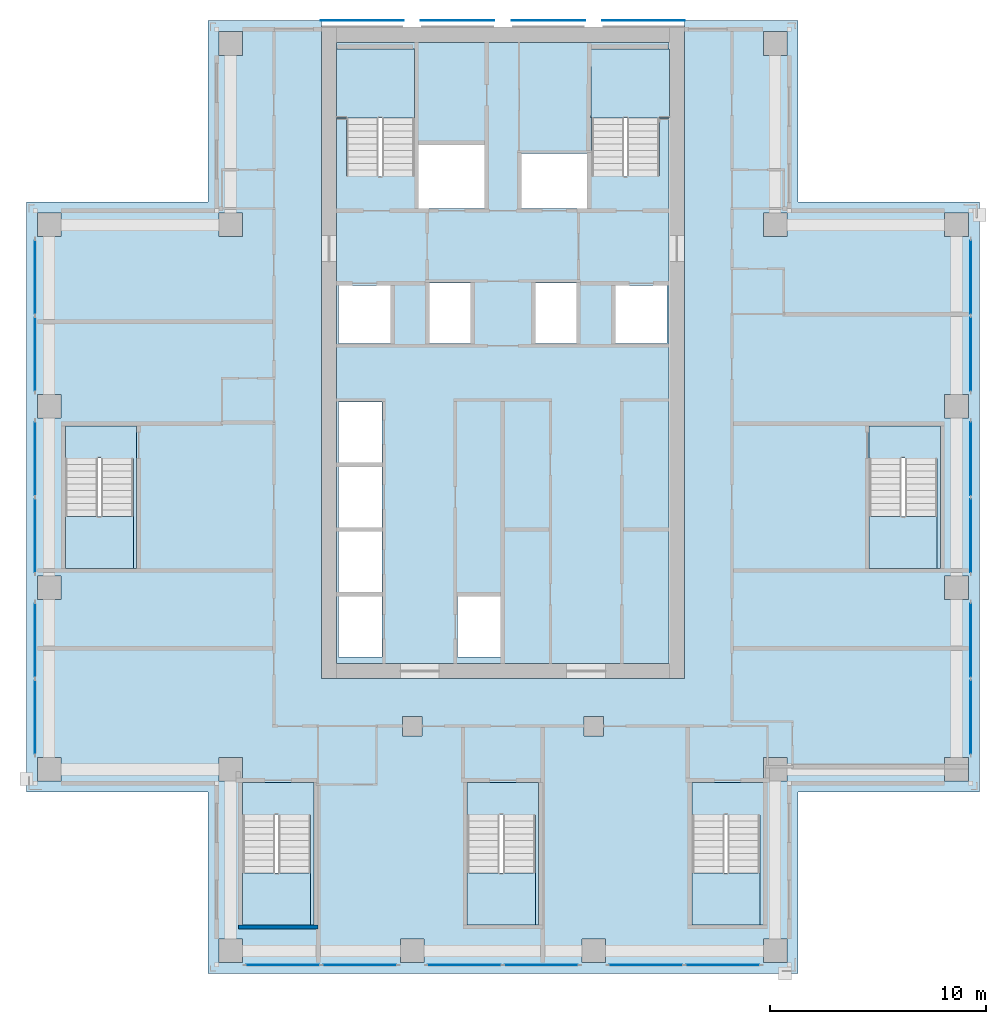
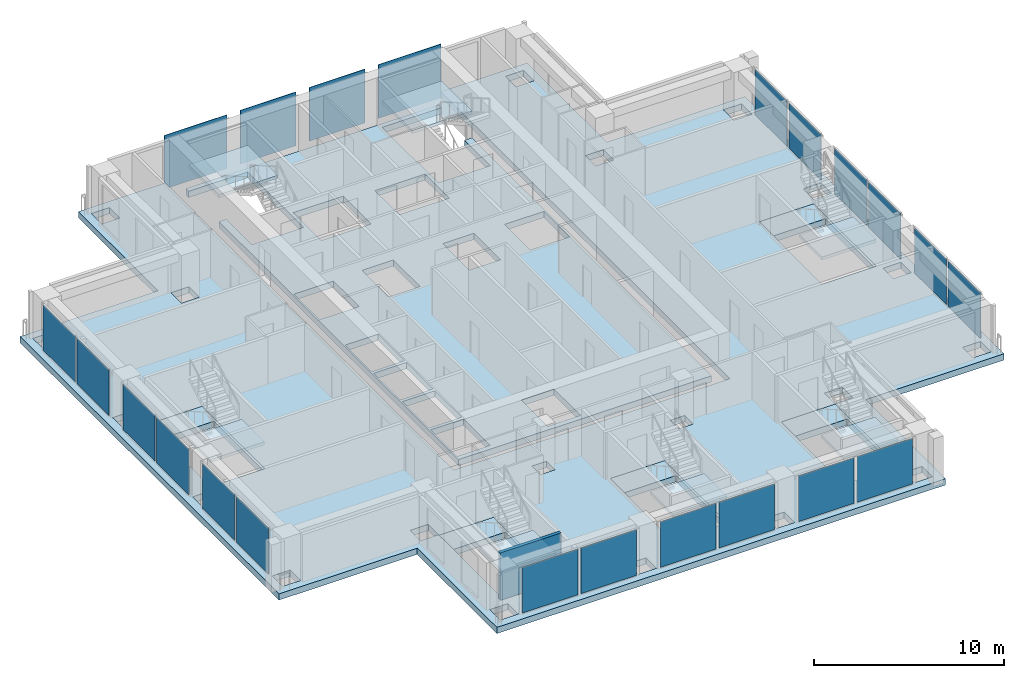
# One storey, part 8 of 16: 22 plates, 14 slabs, 1 wall, 16 elements without a shape of their own.
"""IFC4 building model written with IfcOpenShell, lengths in metres."""

from ifc_helpers import new_model, si_unit, direction, frame, frame_2d, origin, origin_2d, place, context, subcontext, project, spatial, polyline, rectangle, outline, extrude, material, layer, layer_set, type_object, element, aggregate, save


model = new_model("IFC4")

# Units and contexts
model_context = context("Model", 3, precision=1e-05, world=origin(), true_north=direction((0.0, 1.0)))
body_context = subcontext(model_context, "Body", "Model", "MODEL_VIEW")
ifc_project = project(units=[si_unit("LENGTHUNIT", "METRE"), si_unit("AREAUNIT", "SQUARE_METRE"), si_unit("VOLUMEUNIT", "CUBIC_METRE"), si_unit("PLANEANGLEUNIT", "RADIAN"), si_unit("MASSUNIT", "GRAM", prefix="KILO")], contexts=[model_context])

# Site, building, storey
site_placement = place(None, origin())
site = spatial("IfcSite", under=ifc_project, at=site_placement, CompositionType="ELEMENT")
building_placement = place(site_placement, origin())
building = spatial("IfcBuilding", under=site, at=building_placement, Name="Vermilion Ogive Tower", CompositionType="ELEMENT")
storey_placement = place(building_placement, frame((0.0, 0.0, 146.89990234375)))
storey = spatial("IfcBuildingStorey", under=building, at=storey_placement, Name="L37", CompositionType="ELEMENT", Elevation=146.89990234375)

# Curtain wall, plates
ifc_material_1 = material(Name="Low-iron laminated glazing in aluminium frame", Category="aluminium")
curtain_wall_type = type_object("IfcCurtainWallType", Name="Curtain wall CW7", PredefinedType="NOTDEFINED", material=ifc_material_1)
curtain_wall_1_placement = place(storey_placement, origin())
curtain_wall_1 = element("IfcCurtainWall", 1, at=curtain_wall_1_placement, inside=storey, type_object=curtain_wall_type, Name="Glazed skin S1", PredefinedType="NOTDEFINED")
ifc_material_2 = material(Name="Low-iron laminated glazing in aluminium frame", Category="aluminium")
ifc_layer_1 = layer(ifc_material_2, 0.031982421875)
ifc_layer_set_1 = layer_set([ifc_layer_1], Name="CW7 glazing panel 32")
plate_type_1 = type_object("IfcPlateType", Name="CW7 glazing panel 32", PredefinedType="CURTAIN_PANEL", material=ifc_layer_set_1)
plate_1_placement = place(storey_placement, frame((-10.179931640625, -21.64990234375, 0.06005859375), z_axis=(0.0, 0.0, 1.0), x_axis=(1.0, 0.0, 0.0)))
plate_1 = element("IfcPlate", 2, at=plate_1_placement, type_object=plate_type_1, Name="CW7-S1 panel 1.1", PredefinedType="CURTAIN_PANEL", context=body_context, shape_type="SweptSolid", body=[
    extrude(rectangle(XDim=3.3798828125, YDim=0.031982421875, at=origin_2d()), origin(), (0.0, 0.0, 1.0), 2.929931640625),
])
plate_2_placement = place(storey_placement, frame((-6.6201171875, -21.64990234375, 0.06005859375), z_axis=(0.0, 0.0, 1.0), x_axis=(1.0, 0.0, 0.0)))
plate_2 = element("IfcPlate", 3, at=plate_2_placement, type_object=plate_type_1, Name="CW7-S1 panel 2.1", PredefinedType="CURTAIN_PANEL", context=body_context, shape_type="SweptSolid", body=[
    extrude(rectangle(XDim=3.3798828125, YDim=0.031982421875, at=origin_2d()), origin(), (0.0, 0.0, 1.0), 2.929931640625),
])
aggregate(curtain_wall_1, [plate_1, plate_2])

curtain_wall_2_placement = place(storey_placement, origin())
curtain_wall_2 = element("IfcCurtainWall", 4, at=curtain_wall_2_placement, inside=storey, type_object=curtain_wall_type, Name="Glazed skin S2", PredefinedType="NOTDEFINED")
plate_3_placement = place(storey_placement, frame((-1.780029296875, -21.64990234375, 0.06005859375), z_axis=(0.0, 0.0, 1.0), x_axis=(1.0, 0.0, 0.0)))
plate_3 = element("IfcPlate", 5, at=plate_3_placement, type_object=plate_type_1, Name="CW7-S2 panel 1.1", PredefinedType="CURTAIN_PANEL", context=body_context, shape_type="SweptSolid", body=[
    extrude(rectangle(XDim=3.3798828125, YDim=0.031982421875, at=origin_2d()), origin(), (0.0, 0.0, 1.0), 2.929931640625),
])
plate_4_placement = place(storey_placement, frame((1.780029296875, -21.64990234375, 0.06005859375), z_axis=(0.0, 0.0, 1.0), x_axis=(1.0, 0.0, 0.0)))
plate_4 = element("IfcPlate", 6, at=plate_4_placement, type_object=plate_type_1, Name="CW7-S2 panel 2.1", PredefinedType="CURTAIN_PANEL", context=body_context, shape_type="SweptSolid", body=[
    extrude(rectangle(XDim=3.3798828125, YDim=0.031982421875, at=origin_2d()), origin(), (0.0, 0.0, 1.0), 2.929931640625),
])
aggregate(curtain_wall_2, [plate_3, plate_4])

curtain_wall_3_placement = place(storey_placement, origin())
curtain_wall_3 = element("IfcCurtainWall", 7, at=curtain_wall_3_placement, inside=storey, type_object=curtain_wall_type, Name="Glazed skin S3", PredefinedType="NOTDEFINED")
plate_5_placement = place(storey_placement, frame((6.6201171875, -21.64990234375, 0.06005859375), z_axis=(0.0, 0.0, 1.0), x_axis=(1.0, 0.0, 0.0)))
plate_5 = element("IfcPlate", 8, at=plate_5_placement, type_object=plate_type_1, Name="CW7-S3 panel 1.1", PredefinedType="CURTAIN_PANEL", context=body_context, shape_type="SweptSolid", body=[
    extrude(rectangle(XDim=3.3798828125, YDim=0.031982421875, at=origin_2d()), origin(), (0.0, 0.0, 1.0), 2.929931640625),
])
plate_6_placement = place(storey_placement, frame((10.179931640625, -21.64990234375, 0.06005859375), z_axis=(0.0, 0.0, 1.0), x_axis=(1.0, 0.0, 0.0)))
plate_6 = element("IfcPlate", 9, at=plate_6_placement, type_object=plate_type_1, Name="CW7-S3 panel 2.1", PredefinedType="CURTAIN_PANEL", context=body_context, shape_type="SweptSolid", body=[
    extrude(rectangle(XDim=3.3798828125, YDim=0.031982421875, at=origin_2d()), origin(), (0.0, 0.0, 1.0), 2.929931640625),
])
aggregate(curtain_wall_3, [plate_5, plate_6])

curtain_wall_4_placement = place(storey_placement, origin())
curtain_wall_4 = element("IfcCurtainWall", 10, at=curtain_wall_4_placement, inside=storey, type_object=curtain_wall_type, Name="Glazed skin E1", PredefinedType="NOTDEFINED")
plate_7_placement = place(storey_placement, frame((21.64990234375, -10.179931640625, 0.06005859375), z_axis=(0.0, 0.0, 1.0), x_axis=(0.0, 1.0, 0.0)))
plate_7 = element("IfcPlate", 11, at=plate_7_placement, type_object=plate_type_1, Name="CW7-E1 panel 1.1", PredefinedType="CURTAIN_PANEL", context=body_context, shape_type="SweptSolid", body=[
    extrude(rectangle(XDim=3.3798828125, YDim=0.031982421875, at=origin_2d()), origin(), (0.0, 0.0, 1.0), 2.929931640625),
])
plate_8_placement = place(storey_placement, frame((21.64990234375, -6.6201171875, 0.06005859375), z_axis=(0.0, 0.0, 1.0), x_axis=(0.0, 1.0, 0.0)))
plate_8 = element("IfcPlate", 12, at=plate_8_placement, type_object=plate_type_1, Name="CW7-E1 panel 2.1", PredefinedType="CURTAIN_PANEL", context=body_context, shape_type="SweptSolid", body=[
    extrude(rectangle(XDim=3.3798828125, YDim=0.031982421875, at=origin_2d()), origin(), (0.0, 0.0, 1.0), 2.929931640625),
])
aggregate(curtain_wall_4, [plate_7, plate_8])

curtain_wall_5_placement = place(storey_placement, origin())
curtain_wall_5 = element("IfcCurtainWall", 13, at=curtain_wall_5_placement, inside=storey, type_object=curtain_wall_type, Name="Glazed skin E2", PredefinedType="NOTDEFINED")
plate_9_placement = place(storey_placement, frame((21.64990234375, -1.780029296875, 0.06005859375), z_axis=(0.0, 0.0, 1.0), x_axis=(0.0, 1.0, 0.0)))
plate_9 = element("IfcPlate", 14, at=plate_9_placement, type_object=plate_type_1, Name="CW7-E2 panel 1.1", PredefinedType="CURTAIN_PANEL", context=body_context, shape_type="SweptSolid", body=[
    extrude(rectangle(XDim=3.3798828125, YDim=0.031982421875, at=origin_2d()), origin(), (0.0, 0.0, 1.0), 2.929931640625),
])
plate_10_placement = place(storey_placement, frame((21.64990234375, 1.780029296875, 0.06005859375), z_axis=(0.0, 0.0, 1.0), x_axis=(0.0, 1.0, 0.0)))
plate_10 = element("IfcPlate", 15, at=plate_10_placement, type_object=plate_type_1, Name="CW7-E2 panel 2.1", PredefinedType="CURTAIN_PANEL", context=body_context, shape_type="SweptSolid", body=[
    extrude(rectangle(XDim=3.3798828125, YDim=0.031982421875, at=origin_2d()), origin(), (0.0, 0.0, 1.0), 2.929931640625),
])
aggregate(curtain_wall_5, [plate_9, plate_10])

curtain_wall_6_placement = place(storey_placement, origin())
curtain_wall_6 = element("IfcCurtainWall", 16, at=curtain_wall_6_placement, inside=storey, type_object=curtain_wall_type, Name="Glazed skin E3", PredefinedType="NOTDEFINED")
plate_11_placement = place(storey_placement, frame((21.64990234375, 6.6201171875, 0.06005859375), z_axis=(0.0, 0.0, 1.0), x_axis=(0.0, 1.0, 0.0)))
plate_11 = element("IfcPlate", 17, at=plate_11_placement, type_object=plate_type_1, Name="CW7-E3 panel 1.1", PredefinedType="CURTAIN_PANEL", context=body_context, shape_type="SweptSolid", body=[
    extrude(rectangle(XDim=3.3798828125, YDim=0.031982421875, at=origin_2d()), origin(), (0.0, 0.0, 1.0), 2.929931640625),
])
plate_12_placement = place(storey_placement, frame((21.64990234375, 10.179931640625, 0.06005859375), z_axis=(0.0, 0.0, 1.0), x_axis=(0.0, 1.0, 0.0)))
plate_12 = element("IfcPlate", 18, at=plate_12_placement, type_object=plate_type_1, Name="CW7-E3 panel 2.1", PredefinedType="CURTAIN_PANEL", context=body_context, shape_type="SweptSolid", body=[
    extrude(rectangle(XDim=3.3798828125, YDim=0.031982421875, at=origin_2d()), origin(), (0.0, 0.0, 1.0), 2.929931640625),
])
aggregate(curtain_wall_6, [plate_11, plate_12])

curtain_wall_7_placement = place(storey_placement, origin())
curtain_wall_7 = element("IfcCurtainWall", 19, at=curtain_wall_7_placement, inside=storey, type_object=curtain_wall_type, Name="Glazed skin W1", PredefinedType="NOTDEFINED")
plate_13_placement = place(storey_placement, frame((-21.64990234375, 10.179931640625, 0.06005859375), z_axis=(0.0, 0.0, 1.0), x_axis=(0.0, -1.0, 0.0)))
plate_13 = element("IfcPlate", 20, at=plate_13_placement, type_object=plate_type_1, Name="CW7-W1 panel 1.1", PredefinedType="CURTAIN_PANEL", context=body_context, shape_type="SweptSolid", body=[
    extrude(rectangle(XDim=3.3798828125, YDim=0.031982421875, at=origin_2d()), origin(), (0.0, 0.0, 1.0), 2.929931640625),
])
plate_14_placement = place(storey_placement, frame((-21.64990234375, 6.6201171875, 0.06005859375), z_axis=(0.0, 0.0, 1.0), x_axis=(0.0, -1.0, 0.0)))
plate_14 = element("IfcPlate", 21, at=plate_14_placement, type_object=plate_type_1, Name="CW7-W1 panel 2.1", PredefinedType="CURTAIN_PANEL", context=body_context, shape_type="SweptSolid", body=[
    extrude(rectangle(XDim=3.3798828125, YDim=0.031982421875, at=origin_2d()), origin(), (0.0, 0.0, 1.0), 2.929931640625),
])
aggregate(curtain_wall_7, [plate_13, plate_14])

curtain_wall_8_placement = place(storey_placement, origin())
curtain_wall_8 = element("IfcCurtainWall", 22, at=curtain_wall_8_placement, inside=storey, type_object=curtain_wall_type, Name="Glazed skin W2", PredefinedType="NOTDEFINED")
plate_15_placement = place(storey_placement, frame((-21.64990234375, 1.780029296875, 0.06005859375), z_axis=(0.0, 0.0, 1.0), x_axis=(0.0, -1.0, 0.0)))
plate_15 = element("IfcPlate", 23, at=plate_15_placement, type_object=plate_type_1, Name="CW7-W2 panel 1.1", PredefinedType="CURTAIN_PANEL", context=body_context, shape_type="SweptSolid", body=[
    extrude(rectangle(XDim=3.3798828125, YDim=0.031982421875, at=origin_2d()), origin(), (0.0, 0.0, 1.0), 2.929931640625),
])
plate_16_placement = place(storey_placement, frame((-21.64990234375, -1.780029296875, 0.06005859375), z_axis=(0.0, 0.0, 1.0), x_axis=(0.0, -1.0, 0.0)))
plate_16 = element("IfcPlate", 24, at=plate_16_placement, type_object=plate_type_1, Name="CW7-W2 panel 2.1", PredefinedType="CURTAIN_PANEL", context=body_context, shape_type="SweptSolid", body=[
    extrude(rectangle(XDim=3.3798828125, YDim=0.031982421875, at=origin_2d()), origin(), (0.0, 0.0, 1.0), 2.929931640625),
])
aggregate(curtain_wall_8, [plate_15, plate_16])

curtain_wall_9_placement = place(storey_placement, origin())
curtain_wall_9 = element("IfcCurtainWall", 25, at=curtain_wall_9_placement, inside=storey, type_object=curtain_wall_type, Name="Glazed skin W3", PredefinedType="NOTDEFINED")
plate_17_placement = place(storey_placement, frame((-21.64990234375, -6.6201171875, 0.06005859375), z_axis=(0.0, 0.0, 1.0), x_axis=(0.0, -1.0, 0.0)))
plate_17 = element("IfcPlate", 26, at=plate_17_placement, type_object=plate_type_1, Name="CW7-W3 panel 1.1", PredefinedType="CURTAIN_PANEL", context=body_context, shape_type="SweptSolid", body=[
    extrude(rectangle(XDim=3.3798828125, YDim=0.031982421875, at=origin_2d()), origin(), (0.0, 0.0, 1.0), 2.929931640625),
])
plate_18_placement = place(storey_placement, frame((-21.64990234375, -10.179931640625, 0.06005859375), z_axis=(0.0, 0.0, 1.0), x_axis=(0.0, -1.0, 0.0)))
plate_18 = element("IfcPlate", 27, at=plate_18_placement, type_object=plate_type_1, Name="CW7-W3 panel 2.1", PredefinedType="CURTAIN_PANEL", context=body_context, shape_type="SweptSolid", body=[
    extrude(rectangle(XDim=3.3798828125, YDim=0.031982421875, at=origin_2d()), origin(), (0.0, 0.0, 1.0), 2.929931640625),
])
aggregate(curtain_wall_9, [plate_17, plate_18])

# Slabs
ifc_material_3 = material(Name="Concrete B40", Category="concrete")
ifc_layer_2 = layer(ifc_material_3, 0.39990234375)
ifc_layer_set_2 = layer_set([ifc_layer_2], Name="Core floor slab 400 B40")
slab_type_1 = type_object("IfcSlabType", Name="Core floor slab 400 B40", PredefinedType="FLOOR", material=ifc_layer_set_2)
slab_1_placement = place(storey_placement, frame((0.0, 0.0, -0.39990234375)))
element("IfcSlab", 28, at=slab_1_placement, inside=storey, type_object=slab_type_1, Name="L37-CK-FS1", PredefinedType="FLOOR", context=body_context, shape_type="SweptSolid", body=[
    extrude(outline(polyline([(5.75, 14.85009765625), (5.60009765625, 14.85009765625), (5.60009765625, 14.85205078125), (4.10009765625, 14.85205078125), (4.10009765625, 17.550048828125), (4.074951171875, 17.550048828125), (4.074951171875, 20.75), (7.696044921875, 20.75), (7.696044921875, 21.0458984375), (-7.696044921875, 21.0458984375), (-7.696044921875, 20.75), (-4.10009765625, 20.75), (-4.10009765625, 14.85205078125), (-5.60009765625, 14.85205078125), (-5.60009765625, 14.85009765625), (-5.75, 14.85009765625), (-5.75, 14.85205078125), (-7.25, 14.85205078125), (-7.25, 17.550048828125), (-7.696044921875, 17.550048828125), (-7.696044921875, -7.696044921875), (7.696044921875, -7.696044921875), (7.696044921875, 17.550048828125), (7.25, 17.550048828125), (7.25, 14.85205078125), (5.75, 14.85205078125), (5.75, 14.85009765625)]), holes=[polyline([(-7.60009765625, -7.39990234375), (-7.60009765625, -4.60009765625), (-5.60009765625, -4.60009765625), (-5.60009765625, -7.39990234375), (-7.60009765625, -7.39990234375)]), polyline([(-7.60009765625, -4.39990234375), (-7.60009765625, -1.60009765625), (-5.60009765625, -1.60009765625), (-5.60009765625, -4.39990234375), (-7.60009765625, -4.39990234375)]), polyline([(-7.60009765625, -1.39990234375), (-7.60009765625, 1.39990234375), (-5.60009765625, 1.39990234375), (-5.60009765625, -1.39990234375), (-7.60009765625, -1.39990234375)]), polyline([(-7.60009765625, 1.60009765625), (-7.60009765625, 4.39990234375), (-5.60009765625, 4.39990234375), (-5.60009765625, 1.60009765625), (-7.60009765625, 1.60009765625)]), polyline([(-7.60009765625, 7.10009765625), (-7.60009765625, 9.800048828125), (-5.199951171875, 9.800048828125), (-5.199951171875, 7.10009765625), (-7.60009765625, 7.10009765625)]), polyline([(-3.39990234375, 9.89990234375), (-1.5, 9.89990234375), (-1.5, 7.10009765625), (-3.39990234375, 7.10009765625), (-3.39990234375, 9.89990234375)]), polyline([(-2.10009765625, -7.39990234375), (-2.10009765625, -4.60009765625), (-0.10009765625, -4.60009765625), (-0.10009765625, -7.39990234375), (-2.10009765625, -7.39990234375)]), polyline([(5.199951171875, 7.10009765625), (5.199951171875, 9.800048828125), (7.60009765625, 9.800048828125), (7.60009765625, 7.10009765625), (5.199951171875, 7.10009765625)]), polyline([(1.5, 7.10009765625), (1.5, 9.89990234375), (3.39990234375, 9.89990234375), (3.39990234375, 7.10009765625), (1.5, 7.10009765625)]), polyline([(0.85009765625, 13.35009765625), (0.85009765625, 15.89990234375), (3.89990234375, 15.89990234375), (3.89990234375, 13.35009765625), (0.85009765625, 13.35009765625)]), polyline([(-3.89990234375, 16.300048828125), (-0.85009765625, 16.300048828125), (-0.85009765625, 13.35009765625), (-3.89990234375, 13.35009765625), (-3.89990234375, 16.300048828125)])]), origin(), (0.0, 0.0, 1.0), 0.39990234375),
])
slab_2_placement = place(storey_placement, frame((0.0, 0.0, -0.39990234375)))
element("IfcSlab", 29, at=slab_2_placement, inside=storey, type_object=slab_type_1, Name="L37-SF-ST3-1", PredefinedType="FLOOR", context=body_context, shape_type="SweptSolid", body=[
    extrude(outline(polyline([(-12.050048828125, -13.199951171875), (-12.050048828125, -14.701904296875), (-10.550048828125, -14.701904296875), (-10.550048828125, -14.699951171875), (-10.39990234375, -14.699951171875), (-10.39990234375, -14.701904296875), (-8.89990234375, -14.701904296875), (-8.89990234375, -19.800048828125), (-8.75, -19.800048828125), (-8.75, -13.199951171875), (-12.050048828125, -13.199951171875)])), origin(), (0.0, 0.0, 1.0), 0.39990234375),
])
slab_3_placement = place(storey_placement, frame((0.0, 0.0, -0.39990234375)))
element("IfcSlab", 30, at=slab_3_placement, inside=storey, type_object=slab_type_1, Name="L37-SF-ST4-1", PredefinedType="FLOOR", context=body_context, shape_type="SweptSolid", body=[
    extrude(outline(polyline([(-1.64990234375, -13.199951171875), (-1.64990234375, -14.701904296875), (-0.14990234375, -14.701904296875), (-0.14990234375, -14.699951171875), (0.0, -14.699951171875), (0.0, -14.701904296875), (1.5, -14.701904296875), (1.5, -19.800048828125), (1.64990234375, -19.800048828125), (1.64990234375, -13.199951171875), (-1.64990234375, -13.199951171875)])), origin(), (0.0, 0.0, 1.0), 0.39990234375),
])
slab_4_placement = place(storey_placement, frame((0.0, 0.0, -0.39990234375)))
element("IfcSlab", 31, at=slab_4_placement, inside=storey, type_object=slab_type_1, Name="L37-SF-ST5-1", PredefinedType="FLOOR", context=body_context, shape_type="SweptSolid", body=[
    extrude(outline(polyline([(8.75, -13.199951171875), (8.75, -14.701904296875), (10.25, -14.701904296875), (10.25, -14.699951171875), (10.39990234375, -14.699951171875), (10.39990234375, -14.701904296875), (11.89990234375, -14.701904296875), (11.89990234375, -19.800048828125), (12.050048828125, -19.800048828125), (12.050048828125, -13.199951171875), (8.75, -13.199951171875)])), origin(), (0.0, 0.0, 1.0), 0.39990234375),
])
slab_5_placement = place(storey_placement, frame((0.0, 0.0, -0.39990234375)))
element("IfcSlab", 32, at=slab_5_placement, inside=storey, type_object=slab_type_1, Name="L37-SF-ST8-1", PredefinedType="FLOOR", context=body_context, shape_type="SweptSolid", body=[
    extrude(outline(polyline([(16.949951171875, 3.300048828125), (16.949951171875, 1.798095703125), (18.449951171875, 1.798095703125), (18.449951171875, 1.800048828125), (18.60009765625, 1.800048828125), (18.60009765625, 1.798095703125), (20.10009765625, 1.798095703125), (20.10009765625, -3.300048828125), (20.25, -3.300048828125), (20.25, 3.300048828125), (16.949951171875, 3.300048828125)])), origin(), (0.0, 0.0, 1.0), 0.39990234375),
])
slab_6_placement = place(storey_placement, frame((0.0, 0.0, -0.39990234375)))
element("IfcSlab", 33, at=slab_6_placement, inside=storey, type_object=slab_type_1, Name="L37-SF-ST9-1", PredefinedType="FLOOR", context=body_context, shape_type="SweptSolid", body=[
    extrude(outline(polyline([(-20.25, 3.300048828125), (-20.25, 1.798095703125), (-18.75, 1.798095703125), (-18.75, 1.800048828125), (-18.60009765625, 1.800048828125), (-18.60009765625, 1.798095703125), (-17.10009765625, 1.798095703125), (-17.10009765625, -3.300048828125), (-16.949951171875, -3.300048828125), (-16.949951171875, 3.300048828125), (-20.25, 3.300048828125)])), origin(), (0.0, 0.0, 1.0), 0.39990234375),
])

# Plates
ifc_material_4 = material(Name="Low-iron laminated glazing in aluminium frame", Category="aluminium")
ifc_layer_3 = layer(ifc_material_4, 0.031982421875)
ifc_layer_set_3 = layer_set([ifc_layer_3], Name="Glazed rainscreen sheet 32")
plate_type_2 = type_object("IfcPlateType", Name="Glazed rainscreen sheet 32", PredefinedType="SHEET", material=ifc_layer_set_3)
plate_19_placement = place(storey_placement, frame((-6.510009765625, 22.06591796875, -0.39990234375), z_axis=(0.0, 0.0, 1.0), x_axis=(1.0, 0.0, 0.0)))
element("IfcPlate", 34, at=plate_19_placement, inside=storey, type_object=plate_type_2, Name="Glazed rainscreen sheet N1", PredefinedType="SHEET", context=body_context, shape_type="SweptSolid", body=[
    extrude(rectangle(XDim=3.820068359375, YDim=0.031982421875, at=origin_2d()), origin(), (0.0, 0.0, 1.0), 3.449951171875),
])
for number, where, z_axis, x_axis, name in (
    (35, (-2.10009765625, 22.06591796875, -0.39990234375), (0.0, 0.0, 1.0), (1.0, 0.0, 0.0), "Glazed rainscreen sheet N2"),
    (36, (2.10009765625, 22.06591796875, -0.39990234375), (0.0, 0.0, 1.0), (1.0, 0.0, 0.0), "Glazed rainscreen sheet N3"),
):
    element("IfcPlate", number, at=place(storey_placement, frame(where, z_axis=z_axis, x_axis=x_axis)), inside=storey, type_object=plate_type_2, Name=name, PredefinedType="SHEET", context=body_context, shape_type="SweptSolid", body=[
        extrude(rectangle(XDim=3.39990234375, YDim=0.031982421875, at=origin_2d()), origin(), (0.0, 0.0, 1.0), 3.449951171875),
    ])
plate_20_placement = place(storey_placement, frame((6.510009765625, 22.06591796875, -0.39990234375), z_axis=(0.0, 0.0, 1.0), x_axis=(1.0, 0.0, 0.0)))
element("IfcPlate", 37, at=plate_20_placement, inside=storey, type_object=plate_type_2, Name="Glazed rainscreen sheet N4", PredefinedType="SHEET", context=body_context, shape_type="SweptSolid", body=[
    extrude(rectangle(XDim=3.820068359375, YDim=0.031982421875, at=origin_2d()), origin(), (0.0, 0.0, 1.0), 3.449951171875),
])

# Slab
ifc_material_5 = material(Name="Concrete B45", Category="concrete")
ifc_layer_4 = layer(ifc_material_5, 0.39990234375)
ifc_layer_set_4 = layer_set([ifc_layer_4], Name="Post-tensioned flat plate 400 B45")
slab_type_2 = type_object("IfcSlabType", Name="Post-tensioned flat plate 400 B45", PredefinedType="FLOOR", material=ifc_layer_set_4)
slab_7_placement = place(storey_placement, frame((0.0, 0.0, -0.39990234375)))
element("IfcSlab", 38, at=slab_7_placement, inside=storey, type_object=slab_type_2, Name="L37-SL-1", PredefinedType="FLOOR", context=body_context, shape_type="SweptSolid", body=[
    extrude(outline(polyline([(-13.64990234375, -13.64990234375), (-22.050048828125, -13.64990234375), (-22.050048828125, 13.64990234375), (-13.64990234375, 13.64990234375), (-13.64990234375, 22.050048828125), (-8.39990234375, 22.050048828125), (-8.39990234375, -8.39990234375), (8.39990234375, -8.39990234375), (8.39990234375, 22.050048828125), (13.64990234375, 22.050048828125), (13.64990234375, 13.64990234375), (22.050048828125, 13.64990234375), (22.050048828125, -13.64990234375), (13.64990234375, -13.64990234375), (13.64990234375, -22.050048828125), (-13.64990234375, -22.050048828125), (-13.64990234375, -13.64990234375)]), holes=[polyline([(21.550048828125, 12.050048828125), (21.550048828125, 13.14990234375), (20.449951171875, 13.14990234375), (20.449951171875, 12.050048828125), (21.550048828125, 12.050048828125)]), polyline([(21.550048828125, 3.64990234375), (21.550048828125, 4.75), (20.449951171875, 4.75), (20.449951171875, 3.64990234375), (21.550048828125, 3.64990234375)]), polyline([(21.550048828125, -4.75), (21.550048828125, -3.64990234375), (20.449951171875, -3.64990234375), (20.449951171875, -4.75), (21.550048828125, -4.75)]), polyline([(21.550048828125, -13.14990234375), (21.550048828125, -12.050048828125), (20.449951171875, -12.050048828125), (20.449951171875, -13.14990234375), (21.550048828125, -13.14990234375)]), polyline([(20.25, -3.300048828125), (20.25, 3.300048828125), (16.949951171875, 3.300048828125), (16.949951171875, -3.300048828125), (20.25, -3.300048828125)]), polyline([(13.14990234375, 20.449951171875), (13.14990234375, 21.550048828125), (12.050048828125, 21.550048828125), (12.050048828125, 20.449951171875), (13.14990234375, 20.449951171875)]), polyline([(13.14990234375, 12.050048828125), (13.14990234375, 13.14990234375), (12.050048828125, 13.14990234375), (12.050048828125, 12.050048828125), (13.14990234375, 12.050048828125)]), polyline([(13.14990234375, -13.14990234375), (13.14990234375, -12.050048828125), (12.050048828125, -12.050048828125), (12.050048828125, -13.14990234375), (13.14990234375, -13.14990234375)]), polyline([(13.14990234375, -21.550048828125), (13.14990234375, -20.449951171875), (12.050048828125, -20.449951171875), (12.050048828125, -21.550048828125), (13.14990234375, -21.550048828125)]), polyline([(12.050048828125, -19.800048828125), (12.050048828125, -13.199951171875), (8.75, -13.199951171875), (8.75, -19.800048828125), (12.050048828125, -19.800048828125)]), polyline([(4.75, -20.449951171875), (3.64990234375, -20.449951171875), (3.64990234375, -21.550048828125), (4.75, -21.550048828125), (4.75, -20.449951171875)]), polyline([(4.64990234375, -11.050048828125), (4.64990234375, -10.14990234375), (3.75, -10.14990234375), (3.75, -11.050048828125), (4.64990234375, -11.050048828125)]), polyline([(1.64990234375, -19.800048828125), (1.64990234375, -13.199951171875), (-1.64990234375, -13.199951171875), (-1.64990234375, -19.800048828125), (1.64990234375, -19.800048828125)]), polyline([(-3.64990234375, -21.550048828125), (-3.64990234375, -20.449951171875), (-4.75, -20.449951171875), (-4.75, -21.550048828125), (-3.64990234375, -21.550048828125)]), polyline([(-3.75, -11.050048828125), (-3.75, -10.14990234375), (-4.64990234375, -10.14990234375), (-4.64990234375, -11.050048828125), (-3.75, -11.050048828125)]), polyline([(-8.75, -19.800048828125), (-8.75, -13.199951171875), (-12.050048828125, -13.199951171875), (-12.050048828125, -19.800048828125), (-8.75, -19.800048828125)]), polyline([(-12.050048828125, 20.449951171875), (-12.050048828125, 21.550048828125), (-13.14990234375, 21.550048828125), (-13.14990234375, 20.449951171875), (-12.050048828125, 20.449951171875)]), polyline([(-12.050048828125, 12.050048828125), (-12.050048828125, 13.14990234375), (-13.14990234375, 13.14990234375), (-13.14990234375, 12.050048828125), (-12.050048828125, 12.050048828125)]), polyline([(-12.050048828125, -13.14990234375), (-12.050048828125, -12.050048828125), (-13.14990234375, -12.050048828125), (-13.14990234375, -13.14990234375), (-12.050048828125, -13.14990234375)]), polyline([(-12.050048828125, -20.449951171875), (-13.14990234375, -20.449951171875), (-13.14990234375, -21.550048828125), (-12.050048828125, -21.550048828125), (-12.050048828125, -20.449951171875)]), polyline([(-16.949951171875, -3.300048828125), (-16.949951171875, 3.300048828125), (-20.25, 3.300048828125), (-20.25, -3.300048828125), (-16.949951171875, -3.300048828125)]), polyline([(-20.449951171875, -13.14990234375), (-20.449951171875, -12.050048828125), (-21.550048828125, -12.050048828125), (-21.550048828125, -13.14990234375), (-20.449951171875, -13.14990234375)]), polyline([(-20.449951171875, 12.050048828125), (-20.449951171875, 13.14990234375), (-21.550048828125, 13.14990234375), (-21.550048828125, 12.050048828125), (-20.449951171875, 12.050048828125)]), polyline([(-20.449951171875, 3.64990234375), (-20.449951171875, 4.75), (-21.550048828125, 4.75), (-21.550048828125, 3.64990234375), (-20.449951171875, 3.64990234375)]), polyline([(-20.449951171875, -4.75), (-20.449951171875, -3.64990234375), (-21.550048828125, -3.64990234375), (-21.550048828125, -4.75), (-20.449951171875, -4.75)])]), origin(), (0.0, 0.0, 1.0), 0.39990234375),
])

# Stair, slab
ifc_material_6 = material(Name="Concrete B40", Category="concrete")
stair_type = type_object("IfcStairType", Name="Exit stair 1500", PredefinedType="HALF_TURN_STAIR", material=ifc_material_6)
stair_1_placement = place(storey_placement, origin())
stair_1 = element("IfcStair", 39, at=stair_1_placement, inside=storey, type_object=stair_type, Name="L37 Exit Stair ST1", PredefinedType="HALF_TURN_STAIR")
ifc_material_7 = material(Name="Concrete B40", Category="concrete")
ifc_layer_5 = layer(ifc_material_7, 0.199951171875)
ifc_layer_set_5 = layer_set([ifc_layer_5], Name="Stair landing 200")
slab_type_3 = type_object("IfcSlabType", Name="Stair landing 200", PredefinedType="LANDING", material=ifc_layer_set_5)
slab_8_placement = place(storey_placement, frame((0.0, 0.0, 1.525146484375)))
slab_8 = element("IfcSlab", 40, at=slab_8_placement, type_object=slab_type_3, Name="ST1 landing 1", PredefinedType="LANDING", context=body_context, shape_type="SweptSolid", body=[
    extrude(outline(polyline([(-7.699951171875, 17.550048828125), (-7.25, 17.550048828125), (-7.25, 17.548095703125), (-5.75, 17.548095703125), (-5.75, 17.550048828125), (-5.60009765625, 17.550048828125), (-5.60009765625, 17.548095703125), (-4.10009765625, 17.548095703125), (-4.10009765625, 20.75), (-7.699951171875, 20.75), (-7.699951171875, 17.550048828125)])), origin(), (0.0, 0.0, 1.0), 0.199951171875),
])
aggregate(stair_1, [slab_8])

stair_2_placement = place(storey_placement, origin())
stair_2 = element("IfcStair", 41, at=stair_2_placement, inside=storey, type_object=stair_type, Name="L37 Exit Stair ST2", PredefinedType="HALF_TURN_STAIR")
slab_9_placement = place(storey_placement, frame((0.0, 0.0, 1.525146484375)))
slab_9 = element("IfcSlab", 42, at=slab_9_placement, type_object=slab_type_3, Name="ST2 landing 1", PredefinedType="LANDING", context=body_context, shape_type="SweptSolid", body=[
    extrude(outline(polyline([(5.60009765625, 17.550048828125), (5.75, 17.550048828125), (5.75, 17.548095703125), (7.25, 17.548095703125), (7.25, 17.550048828125), (7.699951171875, 17.550048828125), (7.699951171875, 20.75), (4.074951171875, 20.75), (4.074951171875, 17.550048828125), (4.10009765625, 17.550048828125), (4.10009765625, 17.548095703125), (5.60009765625, 17.548095703125), (5.60009765625, 17.550048828125)])), origin(), (0.0, 0.0, 1.0), 0.199951171875),
])
aggregate(stair_2, [slab_9])

stair_3_placement = place(storey_placement, origin())
stair_3 = element("IfcStair", 43, at=stair_3_placement, inside=storey, type_object=stair_type, Name="L37 Exit Stair ST3", PredefinedType="HALF_TURN_STAIR")
slab_10_placement = place(storey_placement, frame((0.0, 0.0, 1.525146484375)))
slab_10 = element("IfcSlab", 44, at=slab_10_placement, type_object=slab_type_3, Name="ST3 landing 1", PredefinedType="LANDING", context=body_context, shape_type="SweptSolid", body=[
    extrude(outline(polyline([(-8.75, -17.39990234375), (-8.89990234375, -17.39990234375), (-8.89990234375, -17.39794921875), (-10.39990234375, -17.39794921875), (-10.39990234375, -17.39990234375), (-10.550048828125, -17.39990234375), (-10.550048828125, -17.39794921875), (-12.050048828125, -17.39794921875), (-12.050048828125, -17.402099609375), (-12.0498046875, -17.402099609375), (-12.0498046875, -19.7998046875), (-8.75, -19.7998046875), (-8.75, -17.39990234375)])), origin(), (0.0, 0.0, 1.0), 0.199951171875),
])
aggregate(stair_3, [slab_10])

stair_4_placement = place(storey_placement, origin())
stair_4 = element("IfcStair", 45, at=stair_4_placement, inside=storey, type_object=stair_type, Name="L37 Exit Stair ST4", PredefinedType="HALF_TURN_STAIR")
slab_11_placement = place(storey_placement, frame((0.0, 0.0, 1.525146484375)))
slab_11 = element("IfcSlab", 46, at=slab_11_placement, type_object=slab_type_3, Name="ST4 landing 1", PredefinedType="LANDING", context=body_context, shape_type="SweptSolid", body=[
    extrude(outline(polyline([(1.64990234375, -17.39990234375), (1.5, -17.39990234375), (1.5, -17.39794921875), (0.0, -17.39794921875), (0.0, -17.39990234375), (-0.14990234375, -17.39990234375), (-0.14990234375, -17.39794921875), (-1.64990234375, -17.39794921875), (-1.64990234375, -19.7998046875), (1.64990234375, -19.7998046875), (1.64990234375, -17.39990234375)])), origin(), (0.0, 0.0, 1.0), 0.199951171875),
])
aggregate(stair_4, [slab_11])

stair_5_placement = place(storey_placement, origin())
stair_5 = element("IfcStair", 47, at=stair_5_placement, inside=storey, type_object=stair_type, Name="L37 Exit Stair ST5", PredefinedType="HALF_TURN_STAIR")
slab_12_placement = place(storey_placement, frame((0.0, 0.0, 1.525146484375)))
slab_12 = element("IfcSlab", 48, at=slab_12_placement, type_object=slab_type_3, Name="ST5 landing 1", PredefinedType="LANDING", context=body_context, shape_type="SweptSolid", body=[
    extrude(outline(polyline([(12.0498046875, -17.39990234375), (11.89990234375, -17.39990234375), (11.89990234375, -17.39794921875), (10.39990234375, -17.39794921875), (10.39990234375, -17.39990234375), (10.25, -17.39990234375), (10.25, -17.39794921875), (8.75, -17.39794921875), (8.75, -17.39990234375), (8.75, -17.39990234375), (8.75, -19.7998046875), (12.0498046875, -19.7998046875), (12.0498046875, -17.39990234375)])), origin(), (0.0, 0.0, 1.0), 0.199951171875),
])
aggregate(stair_5, [slab_12])

stair_6_placement = place(storey_placement, origin())
stair_6 = element("IfcStair", 49, at=stair_6_placement, inside=storey, type_object=stair_type, Name="L37 Exit Stair ST8", PredefinedType="HALF_TURN_STAIR")
slab_13_placement = place(storey_placement, frame((0.0, 0.0, 1.525146484375)))
slab_13 = element("IfcSlab", 50, at=slab_13_placement, type_object=slab_type_3, Name="ST8 landing 1", PredefinedType="LANDING", context=body_context, shape_type="SweptSolid", body=[
    extrude(outline(polyline([(20.25, -0.89990234375), (20.10009765625, -0.89990234375), (20.10009765625, -0.89794921875), (18.60009765625, -0.89794921875), (18.60009765625, -0.89990234375), (18.449951171875, -0.89990234375), (18.449951171875, -0.89794921875), (16.949951171875, -0.89794921875), (16.949951171875, -0.902099609375), (16.9501953125, -0.902099609375), (16.9501953125, -3.2998046875), (20.25, -3.2998046875), (20.25, -0.89990234375)])), origin(), (0.0, 0.0, 1.0), 0.199951171875),
])
aggregate(stair_6, [slab_13])

stair_7_placement = place(storey_placement, origin())
stair_7 = element("IfcStair", 51, at=stair_7_placement, inside=storey, type_object=stair_type, Name="L37 Exit Stair ST9", PredefinedType="HALF_TURN_STAIR")
slab_14_placement = place(storey_placement, frame((0.0, 0.0, 1.525146484375)))
slab_14 = element("IfcSlab", 52, at=slab_14_placement, type_object=slab_type_3, Name="ST9 landing 1", PredefinedType="LANDING", context=body_context, shape_type="SweptSolid", body=[
    extrude(outline(polyline([(-16.9501953125, -0.89990234375), (-17.10009765625, -0.89990234375), (-17.10009765625, -0.89794921875), (-18.60009765625, -0.89794921875), (-18.60009765625, -0.89990234375), (-18.75, -0.89990234375), (-18.75, -0.89794921875), (-20.25, -0.89794921875), (-20.25, -0.89990234375), (-20.25, -0.89990234375), (-20.25, -3.2998046875), (-16.9501953125, -3.2998046875), (-16.9501953125, -0.89990234375)])), origin(), (0.0, 0.0, 1.0), 0.199951171875),
])
aggregate(stair_7, [slab_14])

# Wall
ifc_material_8 = material(Name="Concrete B60", Category="concrete")
ifc_layer_6 = layer(ifc_material_8, 0.199951171875)
ifc_layer_set_6 = layer_set([ifc_layer_6], Name="Stair shaft wall 200 Concrete B60")
wall_type = type_object("IfcWallType", Name="Stair shaft wall 200 Concrete B60", PredefinedType="SOLIDWALL", material=ifc_layer_set_6)
wall_placement = place(storey_placement, frame((-12.248046875, -19.89990234375, 0.0), z_axis=(0.0, 0.0, 1.0), x_axis=(1.0, 0.0, 0.0)))
element("IfcWall", 53, at=wall_placement, inside=storey, type_object=wall_type, Name="L37-W-W001", PredefinedType="SOLIDWALL", context=body_context, shape_type="SweptSolid", body=[
    extrude(rectangle(XDim=3.696044921875, YDim=0.199951171875, at=frame_2d((1.84814453125, 0.0))), origin(), (0.0, 0.0, 1.0), 3.050048828125),
])

save(model, "model.ifc")
